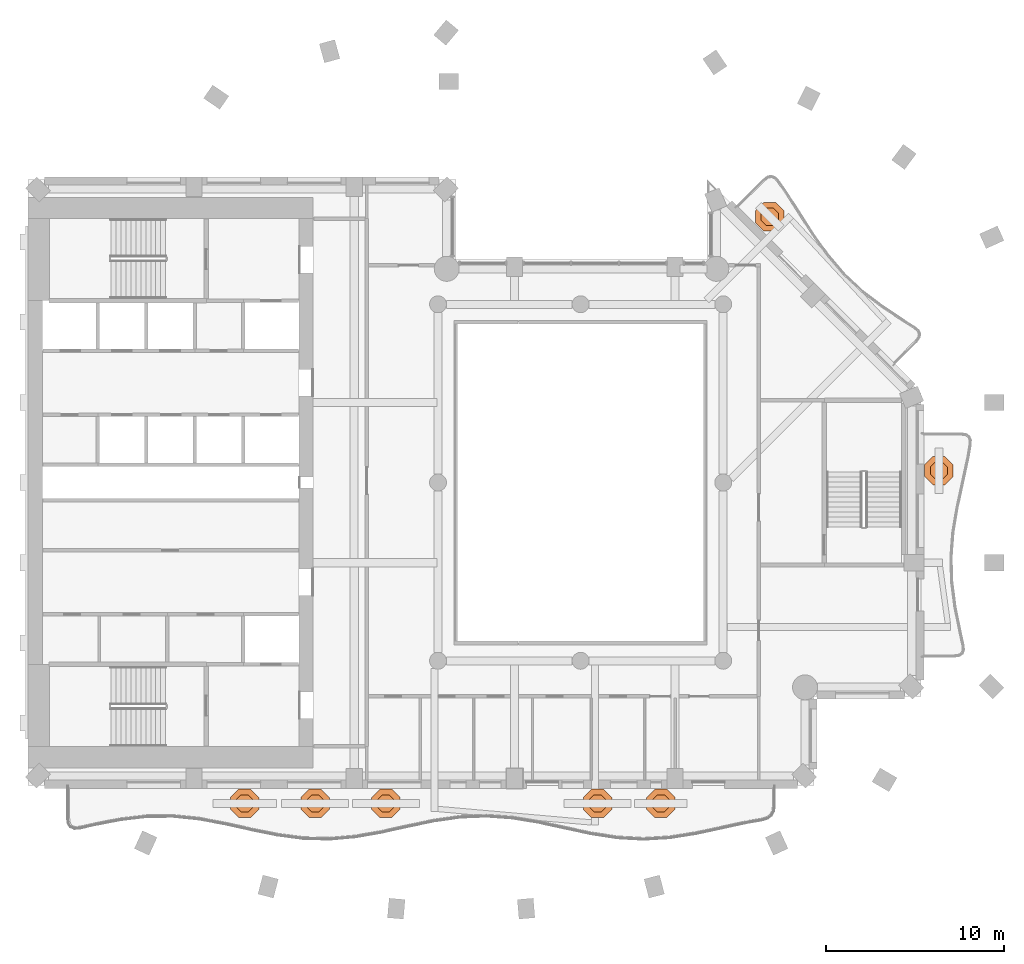
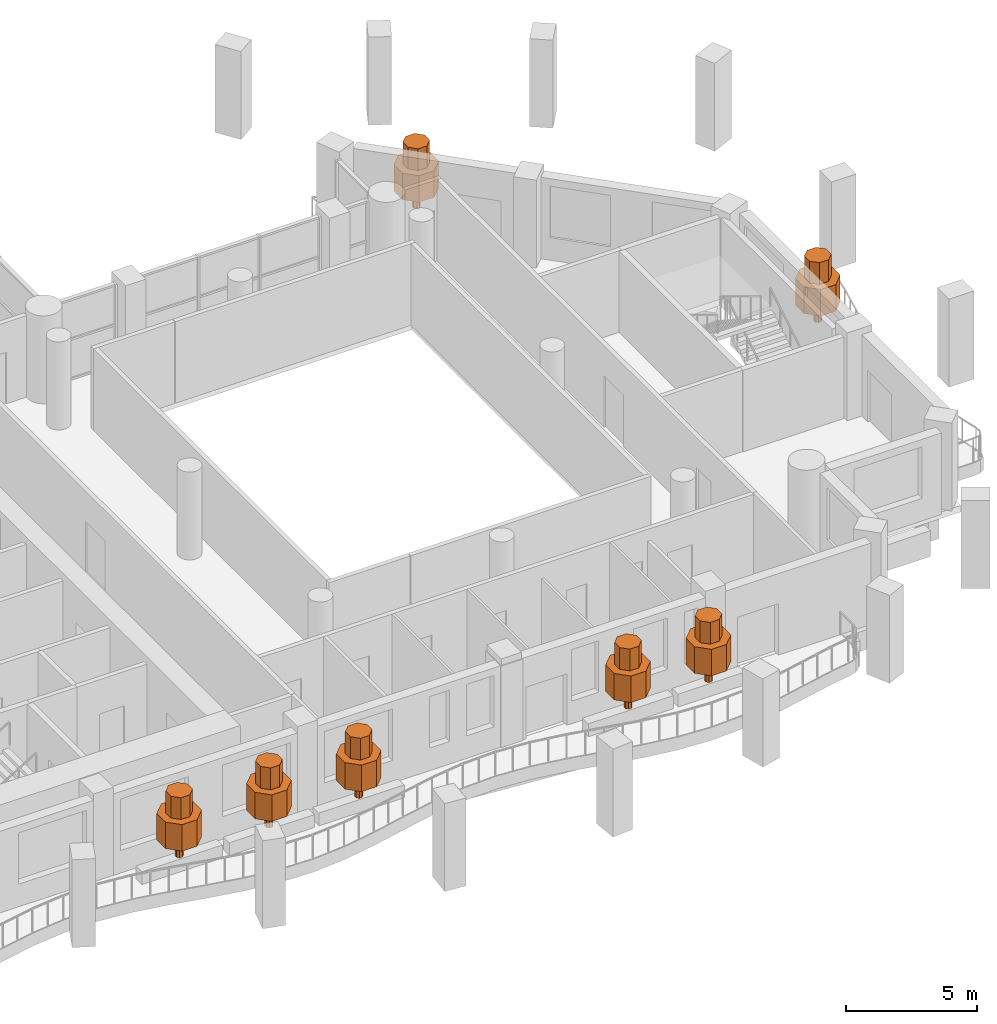
# One storey, part 15 of 15: 7 geographic elements.
"""IFC4 building model written with IfcOpenShell, lengths in metres."""

from ifc_helpers import new_model, si_unit, direction, frame, origin, place, context, subcontext, project, spatial, polyline, outline, extrude, material, type_object, element, save


model = new_model("IFC4")

# Units and contexts
model_context = context("Model", 3, precision=1e-05, world=origin(), true_north=direction((0.0, 1.0)))
body_context = subcontext(model_context, "Body", "Model", "MODEL_VIEW")
ifc_project = project(units=[si_unit("LENGTHUNIT", "METRE"), si_unit("AREAUNIT", "SQUARE_METRE"), si_unit("VOLUMEUNIT", "CUBIC_METRE"), si_unit("PLANEANGLEUNIT", "RADIAN"), si_unit("MASSUNIT", "GRAM", prefix="KILO")], contexts=[model_context])

# Site, building, storey
site_placement = place(None, origin())
site = spatial("IfcSite", under=ifc_project, at=site_placement, CompositionType="ELEMENT")
building_placement = place(site_placement, origin())
building = spatial("IfcBuilding", under=site, at=building_placement, Name="Cypress Arch Tower", CompositionType="ELEMENT")
storey_placement = place(building_placement, frame((0.0, 0.0, 176.89990234375)))
storey = spatial("IfcBuildingStorey", under=building, at=storey_placement, Name="L38", CompositionType="ELEMENT", Elevation=176.89990234375)

# Geographic elements
ifc_material = material(Name="Foliage and planting")
geographic_element_type = type_object("IfcGeographicElementType", Name="Balcony tree TR", PredefinedType="USERDEFINED", material=ifc_material)
for number, where, z_axis, x_axis, name in (
    (1, (-17.85009765625, -18.0, 0.60009765625), (0.0, 0.0, 1.0), (1.0, 0.0, 0.0), "Balcony tree L38-B01.1"),
    (2, (-13.889892578125, -18.0, 0.60009765625), (0.0, 0.0, 1.0), (1.0, 0.0, 0.0), "Balcony tree L38-B01.2"),
    (3, (-9.929931640625, -18.0, 0.60009765625), (0.0, 0.0, 1.0), (1.0, 0.0, 0.0), "Balcony tree L38-B01.3"),
    (4, (1.949951171875, -18.0, 0.60009765625), (0.0, 0.0, 1.0), (1.0, 0.0, 0.0), "Balcony tree L38-B01.4"),
    (5, (5.50244140625, -18.0, 0.60009765625), (0.0, 0.0, 1.0), (1.0, 0.0, 0.0), "Balcony tree L38-B01.5"),
    (6, (21.10009765625, 0.666748046875, 0.60009765625), (0.0, 0.0, 1.0), (1.0, 0.0, 0.0), "Balcony tree L38-B04.1"),
    (7, (11.607177734375, 14.906982421875, 0.60009765625), (0.0, 0.0, 1.0), (1.0, 0.0, 0.0), "Balcony tree L38-B05.1"),
):
    element("IfcGeographicElement", number, at=place(storey_placement, frame(where, z_axis=z_axis, x_axis=x_axis)), inside=storey, type_object=geographic_element_type, Name=name, ObjectType="TREE", PredefinedType="USERDEFINED", context=body_context, shape_type="SweptSolid", body=[
        extrude(outline(polyline([(0.14990234375, 0.06201171875), (0.06201171875, 0.14990234375), (-0.06201171875, 0.14990234375), (-0.14990234375, 0.06201171875), (-0.14990234375, -0.06201171875), (-0.06201171875, -0.14990234375), (0.06201171875, -0.14990234375), (0.14990234375, -0.06201171875), (0.14990234375, 0.06201171875)])), origin(), (0.0, 0.0, 1.0), 0.89990234375),
        extrude(outline(polyline([(0.800048828125, 0.331298828125), (0.331298828125, 0.800048828125), (-0.331298828125, 0.800048828125), (-0.800048828125, 0.331298828125), (-0.800048828125, -0.331298828125), (-0.331298828125, -0.800048828125), (0.331298828125, -0.800048828125), (0.800048828125, -0.331298828125), (0.800048828125, 0.331298828125)])), frame((0.0, 0.0, 0.800048828125)), (0.0, 0.0, 1.0), 1.237548828125),
        extrude(outline(polyline([(0.47998046875, 0.19873046875), (0.19873046875, 0.47998046875), (-0.19873046875, 0.47998046875), (-0.47998046875, 0.19873046875), (-0.47998046875, -0.19873046875), (-0.19873046875, -0.47998046875), (0.19873046875, -0.47998046875), (0.47998046875, -0.19873046875), (0.47998046875, 0.19873046875)])), frame((0.0, 0.0, 2.03759765625)), (0.0, 0.0, 1.0), 1.012451171875),
    ])

save(model, "model.ifc")
